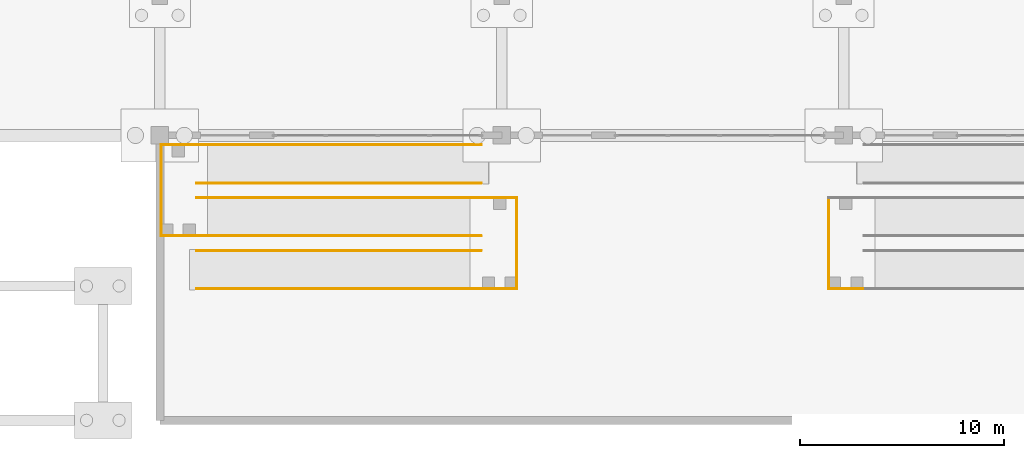
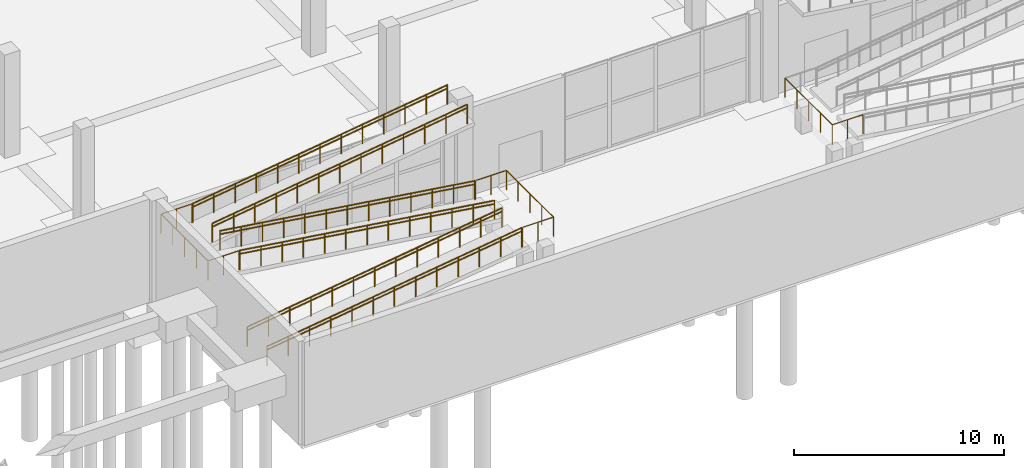
# One storey, part 36 of 46: 20 railings.
"""IFC4 building model written with IfcOpenShell, lengths in metres."""

from ifc_helpers import new_model, si_unit, direction, frame, origin, origin_2d, place, context, subcontext, project, spatial, circle, extrude, material, type_object, element, save


model = new_model("IFC4")

# Units and contexts
model_context = context("Model", 3, precision=1e-05, world=origin(), true_north=direction((0.0, 1.0)))
body_context = subcontext(model_context, "Body", "Model", "MODEL_VIEW")
ifc_project = project(units=[si_unit("LENGTHUNIT", "METRE"), si_unit("AREAUNIT", "SQUARE_METRE"), si_unit("VOLUMEUNIT", "CUBIC_METRE"), si_unit("PLANEANGLEUNIT", "RADIAN"), si_unit("MASSUNIT", "GRAM", prefix="KILO")], contexts=[model_context])

# Site, building, storey
site_placement = place(None, origin())
site = spatial("IfcSite", under=ifc_project, at=site_placement, CompositionType="ELEMENT")
building_placement = place(site_placement, origin())
building = spatial("IfcBuilding", under=site, at=building_placement, Name="Kimbaza Rail Terminus", CompositionType="ELEMENT")
storey_placement = place(building_placement, frame((0.0, 0.0, -6.0)))
storey = spatial("IfcBuildingStorey", under=building, at=storey_placement, Name="B1", CompositionType="ELEMENT", Elevation=-6.0)

# Railings
ifc_material_1 = material(Name="Stainless steel exterior ramp handrail", Category="steel")
railing_type_1 = type_object("IfcRailingType", Name="ARC-RL-HNDE9", PredefinedType="HANDRAIL", material=ifc_material_1)
railing_1_placement = place(storey_placement, frame((90.60009765625, 24.659912109375, 4.0)))
element("IfcRailing", 1, at=railing_1_placement, inside=storey, type_object=railing_type_1, Name="Metro Plaza West Upper Ramp Handrail 1", PredefinedType="HANDRAIL", context=body_context, shape_type="SweptSolid", body=[
    extrude(circle(Radius=0.02392578125, at=origin_2d()), frame((0.0, 0.0, 0.916015625), z_axis=(0.989949493661, 0.0, 0.141421356237), x_axis=(0.0, 1.0, 0.0)), (0.0, 0.0, 1.0), 14.14208984375),
    extrude(circle(Radius=0.02099609375, at=origin_2d()), origin(), (0.0, 0.0, 1.0), 0.891845703125),
    extrude(circle(Radius=0.02099609375, at=origin_2d()), frame((1.166748046875, 0.0, 0.166748046875)), (0.0, 0.0, 1.0), 0.891845703125),
    extrude(circle(Radius=0.02099609375, at=origin_2d()), frame((2.333251953125, 0.0, 0.333251953125)), (0.0, 0.0, 1.0), 0.891845703125),
    extrude(circle(Radius=0.02099609375, at=origin_2d()), frame((3.5, 0.0, 0.5)), (0.0, 0.0, 1.0), 0.891845703125),
    extrude(circle(Radius=0.02099609375, at=origin_2d()), frame((4.666748046875, 0.0, 0.666748046875)), (0.0, 0.0, 1.0), 0.891845703125),
    extrude(circle(Radius=0.02099609375, at=origin_2d()), frame((5.833251953125, 0.0, 0.833251953125)), (0.0, 0.0, 1.0), 0.891845703125),
    extrude(circle(Radius=0.02099609375, at=origin_2d()), frame((7.0, 0.0, 1.0)), (0.0, 0.0, 1.0), 0.891845703125),
    extrude(circle(Radius=0.02099609375, at=origin_2d()), frame((8.166748046875, 0.0, 1.166748046875)), (0.0, 0.0, 1.0), 0.891845703125),
    extrude(circle(Radius=0.02099609375, at=origin_2d()), frame((9.333251953125, 0.0, 1.333251953125)), (0.0, 0.0, 1.0), 0.891845703125),
    extrude(circle(Radius=0.02099609375, at=origin_2d()), frame((10.5, 0.0, 1.5)), (0.0, 0.0, 1.0), 0.891845703125),
    extrude(circle(Radius=0.02099609375, at=origin_2d()), frame((11.666748046875, 0.0, 1.666748046875)), (0.0, 0.0, 1.0), 0.891845703125),
    extrude(circle(Radius=0.02099609375, at=origin_2d()), frame((12.833251953125, 0.0, 1.833251953125)), (0.0, 0.0, 1.0), 0.891845703125),
    extrude(circle(Radius=0.02099609375, at=origin_2d()), frame((14.0, 0.0, 2.0)), (0.0, 0.0, 1.0), 0.891845703125),
])
railing_2_placement = place(storey_placement, frame((90.60009765625, 26.5400390625, 4.0)))
element("IfcRailing", 2, at=railing_2_placement, inside=storey, type_object=railing_type_1, Name="Metro Plaza West Upper Ramp Handrail 2", PredefinedType="HANDRAIL", context=body_context, shape_type="SweptSolid", body=[
    extrude(circle(Radius=0.02392578125, at=origin_2d()), frame((0.0, 0.0, 0.916015625), z_axis=(0.989949493661, 0.0, 0.141421356237), x_axis=(0.0, 1.0, 0.0)), (0.0, 0.0, 1.0), 14.14208984375),
    extrude(circle(Radius=0.02099609375, at=origin_2d()), origin(), (0.0, 0.0, 1.0), 0.891845703125),
    extrude(circle(Radius=0.02099609375, at=origin_2d()), frame((1.166748046875, 0.0, 0.166748046875)), (0.0, 0.0, 1.0), 0.891845703125),
    extrude(circle(Radius=0.02099609375, at=origin_2d()), frame((2.333251953125, 0.0, 0.333251953125)), (0.0, 0.0, 1.0), 0.891845703125),
    extrude(circle(Radius=0.02099609375, at=origin_2d()), frame((3.5, 0.0, 0.5)), (0.0, 0.0, 1.0), 0.891845703125),
    extrude(circle(Radius=0.02099609375, at=origin_2d()), frame((4.666748046875, 0.0, 0.666748046875)), (0.0, 0.0, 1.0), 0.891845703125),
    extrude(circle(Radius=0.02099609375, at=origin_2d()), frame((5.833251953125, 0.0, 0.833251953125)), (0.0, 0.0, 1.0), 0.891845703125),
    extrude(circle(Radius=0.02099609375, at=origin_2d()), frame((7.0, 0.0, 1.0)), (0.0, 0.0, 1.0), 0.891845703125),
    extrude(circle(Radius=0.02099609375, at=origin_2d()), frame((8.166748046875, 0.0, 1.166748046875)), (0.0, 0.0, 1.0), 0.891845703125),
    extrude(circle(Radius=0.02099609375, at=origin_2d()), frame((9.333251953125, 0.0, 1.333251953125)), (0.0, 0.0, 1.0), 0.891845703125),
    extrude(circle(Radius=0.02099609375, at=origin_2d()), frame((10.5, 0.0, 1.5)), (0.0, 0.0, 1.0), 0.891845703125),
    extrude(circle(Radius=0.02099609375, at=origin_2d()), frame((11.666748046875, 0.0, 1.666748046875)), (0.0, 0.0, 1.0), 0.891845703125),
    extrude(circle(Radius=0.02099609375, at=origin_2d()), frame((12.833251953125, 0.0, 1.833251953125)), (0.0, 0.0, 1.0), 0.891845703125),
    extrude(circle(Radius=0.02099609375, at=origin_2d()), frame((14.0, 0.0, 2.0)), (0.0, 0.0, 1.0), 0.891845703125),
])
railing_3_placement = place(storey_placement, frame((90.60009765625, 22.06005859375, 4.0)))
element("IfcRailing", 3, at=railing_3_placement, inside=storey, type_object=railing_type_1, Name="Metro Plaza West Mid Ramp Handrail 1", PredefinedType="HANDRAIL", context=body_context, shape_type="SweptSolid", body=[
    extrude(circle(Radius=0.02392578125, at=origin_2d()), frame((0.0, 0.0, 0.916015625), z_axis=(0.989949493661, 0.0, -0.141421356237), x_axis=(0.0, 1.0, 0.0)), (0.0, 0.0, 1.0), 14.14208984375),
    extrude(circle(Radius=0.02099609375, at=origin_2d()), origin(), (0.0, 0.0, 1.0), 0.891845703125),
    extrude(circle(Radius=0.02099609375, at=origin_2d()), frame((1.166748046875, 0.0, -0.166748046875)), (0.0, 0.0, 1.0), 0.891845703125),
    extrude(circle(Radius=0.02099609375, at=origin_2d()), frame((2.333251953125, 0.0, -0.333251953125)), (0.0, 0.0, 1.0), 0.891845703125),
    extrude(circle(Radius=0.02099609375, at=origin_2d()), frame((3.5, 0.0, -0.5)), (0.0, 0.0, 1.0), 0.891845703125),
    extrude(circle(Radius=0.02099609375, at=origin_2d()), frame((4.666748046875, 0.0, -0.666748046875)), (0.0, 0.0, 1.0), 0.891845703125),
    extrude(circle(Radius=0.02099609375, at=origin_2d()), frame((5.833251953125, 0.0, -0.833251953125)), (0.0, 0.0, 1.0), 0.891845703125),
    extrude(circle(Radius=0.02099609375, at=origin_2d()), frame((7.0, 0.0, -1.0)), (0.0, 0.0, 1.0), 0.891845703125),
    extrude(circle(Radius=0.02099609375, at=origin_2d()), frame((8.166748046875, 0.0, -1.166748046875)), (0.0, 0.0, 1.0), 0.891845703125),
    extrude(circle(Radius=0.02099609375, at=origin_2d()), frame((9.333251953125, 0.0, -1.333251953125)), (0.0, 0.0, 1.0), 0.891845703125),
    extrude(circle(Radius=0.02099609375, at=origin_2d()), frame((10.5, 0.0, -1.5)), (0.0, 0.0, 1.0), 0.891845703125),
    extrude(circle(Radius=0.02099609375, at=origin_2d()), frame((11.666748046875, 0.0, -1.666748046875)), (0.0, 0.0, 1.0), 0.891845703125),
    extrude(circle(Radius=0.02099609375, at=origin_2d()), frame((12.833251953125, 0.0, -1.833251953125)), (0.0, 0.0, 1.0), 0.891845703125),
    extrude(circle(Radius=0.02099609375, at=origin_2d()), frame((14.0, 0.0, -2.0)), (0.0, 0.0, 1.0), 0.891845703125),
])
railing_4_placement = place(storey_placement, frame((90.60009765625, 23.93994140625, 4.0)))
element("IfcRailing", 4, at=railing_4_placement, inside=storey, type_object=railing_type_1, Name="Metro Plaza West Mid Ramp Handrail 2", PredefinedType="HANDRAIL", context=body_context, shape_type="SweptSolid", body=[
    extrude(circle(Radius=0.02392578125, at=origin_2d()), frame((0.0, 0.0, 0.916015625), z_axis=(0.989949493661, 0.0, -0.141421356237), x_axis=(0.0, 1.0, 0.0)), (0.0, 0.0, 1.0), 14.14208984375),
    extrude(circle(Radius=0.02099609375, at=origin_2d()), origin(), (0.0, 0.0, 1.0), 0.891845703125),
    extrude(circle(Radius=0.02099609375, at=origin_2d()), frame((1.166748046875, 0.0, -0.166748046875)), (0.0, 0.0, 1.0), 0.891845703125),
    extrude(circle(Radius=0.02099609375, at=origin_2d()), frame((2.333251953125, 0.0, -0.333251953125)), (0.0, 0.0, 1.0), 0.891845703125),
    extrude(circle(Radius=0.02099609375, at=origin_2d()), frame((3.5, 0.0, -0.5)), (0.0, 0.0, 1.0), 0.891845703125),
    extrude(circle(Radius=0.02099609375, at=origin_2d()), frame((4.666748046875, 0.0, -0.666748046875)), (0.0, 0.0, 1.0), 0.891845703125),
    extrude(circle(Radius=0.02099609375, at=origin_2d()), frame((5.833251953125, 0.0, -0.833251953125)), (0.0, 0.0, 1.0), 0.891845703125),
    extrude(circle(Radius=0.02099609375, at=origin_2d()), frame((7.0, 0.0, -1.0)), (0.0, 0.0, 1.0), 0.891845703125),
    extrude(circle(Radius=0.02099609375, at=origin_2d()), frame((8.166748046875, 0.0, -1.166748046875)), (0.0, 0.0, 1.0), 0.891845703125),
    extrude(circle(Radius=0.02099609375, at=origin_2d()), frame((9.333251953125, 0.0, -1.333251953125)), (0.0, 0.0, 1.0), 0.891845703125),
    extrude(circle(Radius=0.02099609375, at=origin_2d()), frame((10.5, 0.0, -1.5)), (0.0, 0.0, 1.0), 0.891845703125),
    extrude(circle(Radius=0.02099609375, at=origin_2d()), frame((11.666748046875, 0.0, -1.666748046875)), (0.0, 0.0, 1.0), 0.891845703125),
    extrude(circle(Radius=0.02099609375, at=origin_2d()), frame((12.833251953125, 0.0, -1.833251953125)), (0.0, 0.0, 1.0), 0.891845703125),
    extrude(circle(Radius=0.02099609375, at=origin_2d()), frame((14.0, 0.0, -2.0)), (0.0, 0.0, 1.0), 0.891845703125),
])
railing_5_placement = place(storey_placement, frame((90.60009765625, 19.4599609375, 0.0)))
element("IfcRailing", 5, at=railing_5_placement, inside=storey, type_object=railing_type_1, Name="Metro Plaza West Lower Ramp Handrail 1", PredefinedType="HANDRAIL", context=body_context, shape_type="SweptSolid", body=[
    extrude(circle(Radius=0.02392578125, at=origin_2d()), frame((0.0, 0.0, 0.916015625), z_axis=(0.989949493661, 0.0, 0.141421356237), x_axis=(0.0, 1.0, 0.0)), (0.0, 0.0, 1.0), 14.14208984375),
    extrude(circle(Radius=0.02099609375, at=origin_2d()), origin(), (0.0, 0.0, 1.0), 0.891845703125),
    extrude(circle(Radius=0.02099609375, at=origin_2d()), frame((1.166748046875, 0.0, 0.166748046875)), (0.0, 0.0, 1.0), 0.891845703125),
    extrude(circle(Radius=0.02099609375, at=origin_2d()), frame((2.333251953125, 0.0, 0.333251953125)), (0.0, 0.0, 1.0), 0.891845703125),
    extrude(circle(Radius=0.02099609375, at=origin_2d()), frame((3.5, 0.0, 0.5)), (0.0, 0.0, 1.0), 0.891845703125),
    extrude(circle(Radius=0.02099609375, at=origin_2d()), frame((4.666748046875, 0.0, 0.666748046875)), (0.0, 0.0, 1.0), 0.891845703125),
    extrude(circle(Radius=0.02099609375, at=origin_2d()), frame((5.833251953125, 0.0, 0.833251953125)), (0.0, 0.0, 1.0), 0.891845703125),
    extrude(circle(Radius=0.02099609375, at=origin_2d()), frame((7.0, 0.0, 1.0)), (0.0, 0.0, 1.0), 0.891845703125),
    extrude(circle(Radius=0.02099609375, at=origin_2d()), frame((8.166748046875, 0.0, 1.166748046875)), (0.0, 0.0, 1.0), 0.891845703125),
    extrude(circle(Radius=0.02099609375, at=origin_2d()), frame((9.333251953125, 0.0, 1.333251953125)), (0.0, 0.0, 1.0), 0.891845703125),
    extrude(circle(Radius=0.02099609375, at=origin_2d()), frame((10.5, 0.0, 1.5)), (0.0, 0.0, 1.0), 0.891845703125),
    extrude(circle(Radius=0.02099609375, at=origin_2d()), frame((11.666748046875, 0.0, 1.666748046875)), (0.0, 0.0, 1.0), 0.891845703125),
    extrude(circle(Radius=0.02099609375, at=origin_2d()), frame((12.833251953125, 0.0, 1.833251953125)), (0.0, 0.0, 1.0), 0.891845703125),
    extrude(circle(Radius=0.02099609375, at=origin_2d()), frame((14.0, 0.0, 2.0)), (0.0, 0.0, 1.0), 0.891845703125),
])
railing_6_placement = place(storey_placement, frame((90.60009765625, 21.340087890625, 0.0)))
element("IfcRailing", 6, at=railing_6_placement, inside=storey, type_object=railing_type_1, Name="Metro Plaza West Lower Ramp Handrail 2", PredefinedType="HANDRAIL", context=body_context, shape_type="SweptSolid", body=[
    extrude(circle(Radius=0.02392578125, at=origin_2d()), frame((0.0, 0.0, 0.916015625), z_axis=(0.989949493661, 0.0, 0.141421356237), x_axis=(0.0, 1.0, 0.0)), (0.0, 0.0, 1.0), 14.14208984375),
    extrude(circle(Radius=0.02099609375, at=origin_2d()), origin(), (0.0, 0.0, 1.0), 0.891845703125),
    extrude(circle(Radius=0.02099609375, at=origin_2d()), frame((1.166748046875, 0.0, 0.166748046875)), (0.0, 0.0, 1.0), 0.891845703125),
    extrude(circle(Radius=0.02099609375, at=origin_2d()), frame((2.333251953125, 0.0, 0.333251953125)), (0.0, 0.0, 1.0), 0.891845703125),
    extrude(circle(Radius=0.02099609375, at=origin_2d()), frame((3.5, 0.0, 0.5)), (0.0, 0.0, 1.0), 0.891845703125),
    extrude(circle(Radius=0.02099609375, at=origin_2d()), frame((4.666748046875, 0.0, 0.666748046875)), (0.0, 0.0, 1.0), 0.891845703125),
    extrude(circle(Radius=0.02099609375, at=origin_2d()), frame((5.833251953125, 0.0, 0.833251953125)), (0.0, 0.0, 1.0), 0.891845703125),
    extrude(circle(Radius=0.02099609375, at=origin_2d()), frame((7.0, 0.0, 1.0)), (0.0, 0.0, 1.0), 0.891845703125),
    extrude(circle(Radius=0.02099609375, at=origin_2d()), frame((8.166748046875, 0.0, 1.166748046875)), (0.0, 0.0, 1.0), 0.891845703125),
    extrude(circle(Radius=0.02099609375, at=origin_2d()), frame((9.333251953125, 0.0, 1.333251953125)), (0.0, 0.0, 1.0), 0.891845703125),
    extrude(circle(Radius=0.02099609375, at=origin_2d()), frame((10.5, 0.0, 1.5)), (0.0, 0.0, 1.0), 0.891845703125),
    extrude(circle(Radius=0.02099609375, at=origin_2d()), frame((11.666748046875, 0.0, 1.666748046875)), (0.0, 0.0, 1.0), 0.891845703125),
    extrude(circle(Radius=0.02099609375, at=origin_2d()), frame((12.833251953125, 0.0, 1.833251953125)), (0.0, 0.0, 1.0), 0.891845703125),
    extrude(circle(Radius=0.02099609375, at=origin_2d()), frame((14.0, 0.0, 2.0)), (0.0, 0.0, 1.0), 0.891845703125),
])
ifc_material_2 = material(Name="Galvanised steel exterior ramp guard", Category="steel")
railing_type_2 = type_object("IfcRailingType", Name="ARC-RL-RMGRD", PredefinedType="GUARDRAIL", material=ifc_material_2)
railing_7_placement = place(storey_placement, frame((88.860107421875, 22.06005859375, 4.0)))
element("IfcRailing", 7, at=railing_7_placement, inside=storey, type_object=railing_type_2, Name="Ramp Landing Guard 1.1", PredefinedType="GUARDRAIL", context=body_context, shape_type="SweptSolid", body=[
    extrude(circle(Radius=0.02392578125, at=origin_2d()), frame((0.0, 0.0, 1.11572265625), z_axis=(1.0, 0.0, 0.0), x_axis=(0.0, 1.0, 0.0)), (0.0, 0.0, 1.0), 1.68994140625),
    extrude(circle(Radius=0.02099609375, at=origin_2d()), origin(), (0.0, 0.0, 1.0), 1.091796875),
    extrude(circle(Radius=0.02099609375, at=origin_2d()), frame((0.844970703125, 0.0, 0.0)), (0.0, 0.0, 1.0), 1.091796875),
    extrude(circle(Radius=0.02099609375, at=origin_2d()), frame((1.68994140625, 0.0, 0.0)), (0.0, 0.0, 1.0), 1.091796875),
])
railing_8_placement = place(storey_placement, frame((88.860107421875, 22.06005859375, 4.0)))
element("IfcRailing", 8, at=railing_8_placement, inside=storey, type_object=railing_type_2, Name="Ramp Landing Guard 1.2", PredefinedType="GUARDRAIL", context=body_context, shape_type="SweptSolid", body=[
    extrude(circle(Radius=0.02392578125, at=origin_2d()), frame((0.0, 0.0, 1.11572265625), z_axis=(0.0, 1.0, 0.0), x_axis=(-1.0, 0.0, 0.0)), (0.0, 0.0, 1.0), 4.47998046875),
    extrude(circle(Radius=0.02099609375, at=origin_2d()), origin(), (0.0, 0.0, 1.0), 1.091796875),
    extrude(circle(Radius=0.02099609375, at=origin_2d()), frame((0.0, 1.1201171875, 0.0)), (0.0, 0.0, 1.0), 1.091796875),
    extrude(circle(Radius=0.02099609375, at=origin_2d()), frame((0.0, 2.239990234375, 0.0)), (0.0, 0.0, 1.0), 1.091796875),
    extrude(circle(Radius=0.02099609375, at=origin_2d()), frame((0.0, 3.35986328125, 0.0)), (0.0, 0.0, 1.0), 1.091796875),
    extrude(circle(Radius=0.02099609375, at=origin_2d()), frame((0.0, 4.47998046875, 0.0)), (0.0, 0.0, 1.0), 1.091796875),
])
railing_9_placement = place(storey_placement, frame((88.860107421875, 26.5400390625, 4.0)))
element("IfcRailing", 9, at=railing_9_placement, inside=storey, type_object=railing_type_2, Name="Ramp Landing Guard 1.3", PredefinedType="GUARDRAIL", context=body_context, shape_type="SweptSolid", body=[
    extrude(circle(Radius=0.02392578125, at=origin_2d()), frame((0.0, 0.0, 1.11572265625), z_axis=(1.0, 0.0, 0.0), x_axis=(0.0, 1.0, 0.0)), (0.0, 0.0, 1.0), 1.68994140625),
    extrude(circle(Radius=0.02099609375, at=origin_2d()), origin(), (0.0, 0.0, 1.0), 1.091796875),
    extrude(circle(Radius=0.02099609375, at=origin_2d()), frame((0.844970703125, 0.0, 0.0)), (0.0, 0.0, 1.0), 1.091796875),
    extrude(circle(Radius=0.02099609375, at=origin_2d()), frame((1.68994140625, 0.0, 0.0)), (0.0, 0.0, 1.0), 1.091796875),
])
railing_10_placement = place(storey_placement, frame((90.60009765625, 24.659912109375, 4.0)))
element("IfcRailing", 10, at=railing_10_placement, inside=storey, type_object=railing_type_2, Name="Metro Plaza West Upper Ramp Guard 1", PredefinedType="GUARDRAIL", context=body_context, shape_type="SweptSolid", body=[
    extrude(circle(Radius=0.02392578125, at=origin_2d()), frame((0.0, 0.0, 1.11572265625), z_axis=(0.989949493661, 0.0, 0.141421356237), x_axis=(0.0, 1.0, 0.0)), (0.0, 0.0, 1.0), 14.14208984375),
    extrude(circle(Radius=0.02099609375, at=origin_2d()), origin(), (0.0, 0.0, 1.0), 1.091796875),
    extrude(circle(Radius=0.02099609375, at=origin_2d()), frame((1.166748046875, 0.0, 0.166748046875)), (0.0, 0.0, 1.0), 1.091796875),
    extrude(circle(Radius=0.02099609375, at=origin_2d()), frame((2.333251953125, 0.0, 0.333251953125)), (0.0, 0.0, 1.0), 1.091796875),
    extrude(circle(Radius=0.02099609375, at=origin_2d()), frame((3.5, 0.0, 0.5)), (0.0, 0.0, 1.0), 1.091796875),
    extrude(circle(Radius=0.02099609375, at=origin_2d()), frame((4.666748046875, 0.0, 0.666748046875)), (0.0, 0.0, 1.0), 1.091796875),
    extrude(circle(Radius=0.02099609375, at=origin_2d()), frame((5.833251953125, 0.0, 0.833251953125)), (0.0, 0.0, 1.0), 1.091796875),
    extrude(circle(Radius=0.02099609375, at=origin_2d()), frame((7.0, 0.0, 1.0)), (0.0, 0.0, 1.0), 1.091796875),
    extrude(circle(Radius=0.02099609375, at=origin_2d()), frame((8.166748046875, 0.0, 1.166748046875)), (0.0, 0.0, 1.0), 1.091796875),
    extrude(circle(Radius=0.02099609375, at=origin_2d()), frame((9.333251953125, 0.0, 1.333251953125)), (0.0, 0.0, 1.0), 1.091796875),
    extrude(circle(Radius=0.02099609375, at=origin_2d()), frame((10.5, 0.0, 1.5)), (0.0, 0.0, 1.0), 1.091796875),
    extrude(circle(Radius=0.02099609375, at=origin_2d()), frame((11.666748046875, 0.0, 1.666748046875)), (0.0, 0.0, 1.0), 1.091796875),
    extrude(circle(Radius=0.02099609375, at=origin_2d()), frame((12.833251953125, 0.0, 1.833251953125)), (0.0, 0.0, 1.0), 1.091796875),
    extrude(circle(Radius=0.02099609375, at=origin_2d()), frame((14.0, 0.0, 2.0)), (0.0, 0.0, 1.0), 1.091796875),
])
railing_11_placement = place(storey_placement, frame((90.60009765625, 26.5400390625, 4.0)))
element("IfcRailing", 11, at=railing_11_placement, inside=storey, type_object=railing_type_2, Name="Metro Plaza West Upper Ramp Guard 2", PredefinedType="GUARDRAIL", context=body_context, shape_type="SweptSolid", body=[
    extrude(circle(Radius=0.02392578125, at=origin_2d()), frame((0.0, 0.0, 1.11572265625), z_axis=(0.989949493661, 0.0, 0.141421356237), x_axis=(0.0, 1.0, 0.0)), (0.0, 0.0, 1.0), 14.14208984375),
    extrude(circle(Radius=0.02099609375, at=origin_2d()), origin(), (0.0, 0.0, 1.0), 1.091796875),
    extrude(circle(Radius=0.02099609375, at=origin_2d()), frame((1.166748046875, 0.0, 0.166748046875)), (0.0, 0.0, 1.0), 1.091796875),
    extrude(circle(Radius=0.02099609375, at=origin_2d()), frame((2.333251953125, 0.0, 0.333251953125)), (0.0, 0.0, 1.0), 1.091796875),
    extrude(circle(Radius=0.02099609375, at=origin_2d()), frame((3.5, 0.0, 0.5)), (0.0, 0.0, 1.0), 1.091796875),
    extrude(circle(Radius=0.02099609375, at=origin_2d()), frame((4.666748046875, 0.0, 0.666748046875)), (0.0, 0.0, 1.0), 1.091796875),
    extrude(circle(Radius=0.02099609375, at=origin_2d()), frame((5.833251953125, 0.0, 0.833251953125)), (0.0, 0.0, 1.0), 1.091796875),
    extrude(circle(Radius=0.02099609375, at=origin_2d()), frame((7.0, 0.0, 1.0)), (0.0, 0.0, 1.0), 1.091796875),
    extrude(circle(Radius=0.02099609375, at=origin_2d()), frame((8.166748046875, 0.0, 1.166748046875)), (0.0, 0.0, 1.0), 1.091796875),
    extrude(circle(Radius=0.02099609375, at=origin_2d()), frame((9.333251953125, 0.0, 1.333251953125)), (0.0, 0.0, 1.0), 1.091796875),
    extrude(circle(Radius=0.02099609375, at=origin_2d()), frame((10.5, 0.0, 1.5)), (0.0, 0.0, 1.0), 1.091796875),
    extrude(circle(Radius=0.02099609375, at=origin_2d()), frame((11.666748046875, 0.0, 1.666748046875)), (0.0, 0.0, 1.0), 1.091796875),
    extrude(circle(Radius=0.02099609375, at=origin_2d()), frame((12.833251953125, 0.0, 1.833251953125)), (0.0, 0.0, 1.0), 1.091796875),
    extrude(circle(Radius=0.02099609375, at=origin_2d()), frame((14.0, 0.0, 2.0)), (0.0, 0.0, 1.0), 1.091796875),
])
railing_12_placement = place(storey_placement, frame((104.64990234375, 19.4599609375, 2.0)))
element("IfcRailing", 12, at=railing_12_placement, inside=storey, type_object=railing_type_2, Name="Ramp Landing Guard 2.1", PredefinedType="GUARDRAIL", context=body_context, shape_type="SweptSolid", body=[
    extrude(circle(Radius=0.02392578125, at=origin_2d()), frame((0.0, 0.0, 1.11572265625), z_axis=(1.0, 0.0, 0.0), x_axis=(0.0, 1.0, 0.0)), (0.0, 0.0, 1.0), 1.690185546875),
    extrude(circle(Radius=0.02099609375, at=origin_2d()), origin(), (0.0, 0.0, 1.0), 1.091796875),
    extrude(circle(Radius=0.02099609375, at=origin_2d()), frame((0.84521484375, 0.0, 0.0)), (0.0, 0.0, 1.0), 1.091796875),
    extrude(circle(Radius=0.02099609375, at=origin_2d()), frame((1.690185546875, 0.0, 0.0)), (0.0, 0.0, 1.0), 1.091796875),
])
railing_13_placement = place(storey_placement, frame((106.340087890625, 19.4599609375, 2.0)))
element("IfcRailing", 13, at=railing_13_placement, inside=storey, type_object=railing_type_2, Name="Ramp Landing Guard 2.2", PredefinedType="GUARDRAIL", context=body_context, shape_type="SweptSolid", body=[
    extrude(circle(Radius=0.02392578125, at=origin_2d()), frame((0.0, 0.0, 1.11572265625), z_axis=(0.0, 1.0, 0.0), x_axis=(-1.0, 0.0, 0.0)), (0.0, 0.0, 1.0), 4.47998046875),
    extrude(circle(Radius=0.02099609375, at=origin_2d()), origin(), (0.0, 0.0, 1.0), 1.091796875),
    extrude(circle(Radius=0.02099609375, at=origin_2d()), frame((0.0, 1.1201171875, 0.0)), (0.0, 0.0, 1.0), 1.091796875),
    extrude(circle(Radius=0.02099609375, at=origin_2d()), frame((0.0, 2.239990234375, 0.0)), (0.0, 0.0, 1.0), 1.091796875),
    extrude(circle(Radius=0.02099609375, at=origin_2d()), frame((0.0, 3.35986328125, 0.0)), (0.0, 0.0, 1.0), 1.091796875),
    extrude(circle(Radius=0.02099609375, at=origin_2d()), frame((0.0, 4.47998046875, 0.0)), (0.0, 0.0, 1.0), 1.091796875),
])
railing_14_placement = place(storey_placement, frame((106.340087890625, 23.93994140625, 2.0)))
element("IfcRailing", 14, at=railing_14_placement, inside=storey, type_object=railing_type_2, Name="Ramp Landing Guard 2.3", PredefinedType="GUARDRAIL", context=body_context, shape_type="SweptSolid", body=[
    extrude(circle(Radius=0.02392578125, at=origin_2d()), frame((0.0, 0.0, 1.11572265625), z_axis=(-1.0, 0.0, 0.0), x_axis=(0.0, -1.0, 0.0)), (0.0, 0.0, 1.0), 1.690185546875),
    extrude(circle(Radius=0.02099609375, at=origin_2d()), origin(), (0.0, 0.0, 1.0), 1.091796875),
    extrude(circle(Radius=0.02099609375, at=origin_2d()), frame((-0.84521484375, 0.0, 0.0)), (0.0, 0.0, 1.0), 1.091796875),
    extrude(circle(Radius=0.02099609375, at=origin_2d()), frame((-1.690185546875, 0.0, 0.0)), (0.0, 0.0, 1.0), 1.091796875),
])
railing_15_placement = place(storey_placement, frame((90.60009765625, 22.06005859375, 4.0)))
element("IfcRailing", 15, at=railing_15_placement, inside=storey, type_object=railing_type_2, Name="Metro Plaza West Mid Ramp Guard 1", PredefinedType="GUARDRAIL", context=body_context, shape_type="SweptSolid", body=[
    extrude(circle(Radius=0.02392578125, at=origin_2d()), frame((0.0, 0.0, 1.11572265625), z_axis=(0.989949493661, 0.0, -0.141421356237), x_axis=(0.0, 1.0, 0.0)), (0.0, 0.0, 1.0), 14.14208984375),
    extrude(circle(Radius=0.02099609375, at=origin_2d()), origin(), (0.0, 0.0, 1.0), 1.091796875),
    extrude(circle(Radius=0.02099609375, at=origin_2d()), frame((1.166748046875, 0.0, -0.166748046875)), (0.0, 0.0, 1.0), 1.091796875),
    extrude(circle(Radius=0.02099609375, at=origin_2d()), frame((2.333251953125, 0.0, -0.333251953125)), (0.0, 0.0, 1.0), 1.091796875),
    extrude(circle(Radius=0.02099609375, at=origin_2d()), frame((3.5, 0.0, -0.5)), (0.0, 0.0, 1.0), 1.091796875),
    extrude(circle(Radius=0.02099609375, at=origin_2d()), frame((4.666748046875, 0.0, -0.666748046875)), (0.0, 0.0, 1.0), 1.091796875),
    extrude(circle(Radius=0.02099609375, at=origin_2d()), frame((5.833251953125, 0.0, -0.833251953125)), (0.0, 0.0, 1.0), 1.091796875),
    extrude(circle(Radius=0.02099609375, at=origin_2d()), frame((7.0, 0.0, -1.0)), (0.0, 0.0, 1.0), 1.091796875),
    extrude(circle(Radius=0.02099609375, at=origin_2d()), frame((8.166748046875, 0.0, -1.166748046875)), (0.0, 0.0, 1.0), 1.091796875),
    extrude(circle(Radius=0.02099609375, at=origin_2d()), frame((9.333251953125, 0.0, -1.333251953125)), (0.0, 0.0, 1.0), 1.091796875),
    extrude(circle(Radius=0.02099609375, at=origin_2d()), frame((10.5, 0.0, -1.5)), (0.0, 0.0, 1.0), 1.091796875),
    extrude(circle(Radius=0.02099609375, at=origin_2d()), frame((11.666748046875, 0.0, -1.666748046875)), (0.0, 0.0, 1.0), 1.091796875),
    extrude(circle(Radius=0.02099609375, at=origin_2d()), frame((12.833251953125, 0.0, -1.833251953125)), (0.0, 0.0, 1.0), 1.091796875),
    extrude(circle(Radius=0.02099609375, at=origin_2d()), frame((14.0, 0.0, -2.0)), (0.0, 0.0, 1.0), 1.091796875),
])
railing_16_placement = place(storey_placement, frame((90.60009765625, 23.93994140625, 4.0)))
element("IfcRailing", 16, at=railing_16_placement, inside=storey, type_object=railing_type_2, Name="Metro Plaza West Mid Ramp Guard 2", PredefinedType="GUARDRAIL", context=body_context, shape_type="SweptSolid", body=[
    extrude(circle(Radius=0.02392578125, at=origin_2d()), frame((0.0, 0.0, 1.11572265625), z_axis=(0.989949493661, 0.0, -0.141421356237), x_axis=(0.0, 1.0, 0.0)), (0.0, 0.0, 1.0), 14.14208984375),
    extrude(circle(Radius=0.02099609375, at=origin_2d()), origin(), (0.0, 0.0, 1.0), 1.091796875),
    extrude(circle(Radius=0.02099609375, at=origin_2d()), frame((1.166748046875, 0.0, -0.166748046875)), (0.0, 0.0, 1.0), 1.091796875),
    extrude(circle(Radius=0.02099609375, at=origin_2d()), frame((2.333251953125, 0.0, -0.333251953125)), (0.0, 0.0, 1.0), 1.091796875),
    extrude(circle(Radius=0.02099609375, at=origin_2d()), frame((3.5, 0.0, -0.5)), (0.0, 0.0, 1.0), 1.091796875),
    extrude(circle(Radius=0.02099609375, at=origin_2d()), frame((4.666748046875, 0.0, -0.666748046875)), (0.0, 0.0, 1.0), 1.091796875),
    extrude(circle(Radius=0.02099609375, at=origin_2d()), frame((5.833251953125, 0.0, -0.833251953125)), (0.0, 0.0, 1.0), 1.091796875),
    extrude(circle(Radius=0.02099609375, at=origin_2d()), frame((7.0, 0.0, -1.0)), (0.0, 0.0, 1.0), 1.091796875),
    extrude(circle(Radius=0.02099609375, at=origin_2d()), frame((8.166748046875, 0.0, -1.166748046875)), (0.0, 0.0, 1.0), 1.091796875),
    extrude(circle(Radius=0.02099609375, at=origin_2d()), frame((9.333251953125, 0.0, -1.333251953125)), (0.0, 0.0, 1.0), 1.091796875),
    extrude(circle(Radius=0.02099609375, at=origin_2d()), frame((10.5, 0.0, -1.5)), (0.0, 0.0, 1.0), 1.091796875),
    extrude(circle(Radius=0.02099609375, at=origin_2d()), frame((11.666748046875, 0.0, -1.666748046875)), (0.0, 0.0, 1.0), 1.091796875),
    extrude(circle(Radius=0.02099609375, at=origin_2d()), frame((12.833251953125, 0.0, -1.833251953125)), (0.0, 0.0, 1.0), 1.091796875),
    extrude(circle(Radius=0.02099609375, at=origin_2d()), frame((14.0, 0.0, -2.0)), (0.0, 0.0, 1.0), 1.091796875),
])
railing_17_placement = place(storey_placement, frame((90.60009765625, 19.4599609375, 0.0)))
element("IfcRailing", 17, at=railing_17_placement, inside=storey, type_object=railing_type_2, Name="Metro Plaza West Lower Ramp Guard 1", PredefinedType="GUARDRAIL", context=body_context, shape_type="SweptSolid", body=[
    extrude(circle(Radius=0.02392578125, at=origin_2d()), frame((0.0, 0.0, 1.11572265625), z_axis=(0.989949493661, 0.0, 0.141421356237), x_axis=(0.0, 1.0, 0.0)), (0.0, 0.0, 1.0), 14.14208984375),
    extrude(circle(Radius=0.02099609375, at=origin_2d()), origin(), (0.0, 0.0, 1.0), 1.091796875),
    extrude(circle(Radius=0.02099609375, at=origin_2d()), frame((1.166748046875, 0.0, 0.166748046875)), (0.0, 0.0, 1.0), 1.091796875),
    extrude(circle(Radius=0.02099609375, at=origin_2d()), frame((2.333251953125, 0.0, 0.333251953125)), (0.0, 0.0, 1.0), 1.091796875),
    extrude(circle(Radius=0.02099609375, at=origin_2d()), frame((3.5, 0.0, 0.5)), (0.0, 0.0, 1.0), 1.091796875),
    extrude(circle(Radius=0.02099609375, at=origin_2d()), frame((4.666748046875, 0.0, 0.666748046875)), (0.0, 0.0, 1.0), 1.091796875),
    extrude(circle(Radius=0.02099609375, at=origin_2d()), frame((5.833251953125, 0.0, 0.833251953125)), (0.0, 0.0, 1.0), 1.091796875),
    extrude(circle(Radius=0.02099609375, at=origin_2d()), frame((7.0, 0.0, 1.0)), (0.0, 0.0, 1.0), 1.091796875),
    extrude(circle(Radius=0.02099609375, at=origin_2d()), frame((8.166748046875, 0.0, 1.166748046875)), (0.0, 0.0, 1.0), 1.091796875),
    extrude(circle(Radius=0.02099609375, at=origin_2d()), frame((9.333251953125, 0.0, 1.333251953125)), (0.0, 0.0, 1.0), 1.091796875),
    extrude(circle(Radius=0.02099609375, at=origin_2d()), frame((10.5, 0.0, 1.5)), (0.0, 0.0, 1.0), 1.091796875),
    extrude(circle(Radius=0.02099609375, at=origin_2d()), frame((11.666748046875, 0.0, 1.666748046875)), (0.0, 0.0, 1.0), 1.091796875),
    extrude(circle(Radius=0.02099609375, at=origin_2d()), frame((12.833251953125, 0.0, 1.833251953125)), (0.0, 0.0, 1.0), 1.091796875),
    extrude(circle(Radius=0.02099609375, at=origin_2d()), frame((14.0, 0.0, 2.0)), (0.0, 0.0, 1.0), 1.091796875),
])
railing_18_placement = place(storey_placement, frame((90.60009765625, 21.340087890625, 0.0)))
element("IfcRailing", 18, at=railing_18_placement, inside=storey, type_object=railing_type_2, Name="Metro Plaza West Lower Ramp Guard 2", PredefinedType="GUARDRAIL", context=body_context, shape_type="SweptSolid", body=[
    extrude(circle(Radius=0.02392578125, at=origin_2d()), frame((0.0, 0.0, 1.11572265625), z_axis=(0.989949493661, 0.0, 0.141421356237), x_axis=(0.0, 1.0, 0.0)), (0.0, 0.0, 1.0), 14.14208984375),
    extrude(circle(Radius=0.02099609375, at=origin_2d()), origin(), (0.0, 0.0, 1.0), 1.091796875),
    extrude(circle(Radius=0.02099609375, at=origin_2d()), frame((1.166748046875, 0.0, 0.166748046875)), (0.0, 0.0, 1.0), 1.091796875),
    extrude(circle(Radius=0.02099609375, at=origin_2d()), frame((2.333251953125, 0.0, 0.333251953125)), (0.0, 0.0, 1.0), 1.091796875),
    extrude(circle(Radius=0.02099609375, at=origin_2d()), frame((3.5, 0.0, 0.5)), (0.0, 0.0, 1.0), 1.091796875),
    extrude(circle(Radius=0.02099609375, at=origin_2d()), frame((4.666748046875, 0.0, 0.666748046875)), (0.0, 0.0, 1.0), 1.091796875),
    extrude(circle(Radius=0.02099609375, at=origin_2d()), frame((5.833251953125, 0.0, 0.833251953125)), (0.0, 0.0, 1.0), 1.091796875),
    extrude(circle(Radius=0.02099609375, at=origin_2d()), frame((7.0, 0.0, 1.0)), (0.0, 0.0, 1.0), 1.091796875),
    extrude(circle(Radius=0.02099609375, at=origin_2d()), frame((8.166748046875, 0.0, 1.166748046875)), (0.0, 0.0, 1.0), 1.091796875),
    extrude(circle(Radius=0.02099609375, at=origin_2d()), frame((9.333251953125, 0.0, 1.333251953125)), (0.0, 0.0, 1.0), 1.091796875),
    extrude(circle(Radius=0.02099609375, at=origin_2d()), frame((10.5, 0.0, 1.5)), (0.0, 0.0, 1.0), 1.091796875),
    extrude(circle(Radius=0.02099609375, at=origin_2d()), frame((11.666748046875, 0.0, 1.666748046875)), (0.0, 0.0, 1.0), 1.091796875),
    extrude(circle(Radius=0.02099609375, at=origin_2d()), frame((12.833251953125, 0.0, 1.833251953125)), (0.0, 0.0, 1.0), 1.091796875),
    extrude(circle(Radius=0.02099609375, at=origin_2d()), frame((14.0, 0.0, 2.0)), (0.0, 0.0, 1.0), 1.091796875),
])
railing_19_placement = place(storey_placement, frame((121.659912109375, 19.4599609375, 2.0)))
element("IfcRailing", 19, at=railing_19_placement, inside=storey, type_object=railing_type_2, Name="Ramp Landing Guard 5.1", PredefinedType="GUARDRAIL", context=body_context, shape_type="SweptSolid", body=[
    extrude(circle(Radius=0.02392578125, at=origin_2d()), frame((0.0, 0.0, 1.11572265625), z_axis=(1.0, 0.0, 0.0), x_axis=(0.0, 1.0, 0.0)), (0.0, 0.0, 1.0), 1.690185546875),
    extrude(circle(Radius=0.02099609375, at=origin_2d()), origin(), (0.0, 0.0, 1.0), 1.091796875),
    extrude(circle(Radius=0.02099609375, at=origin_2d()), frame((0.84521484375, 0.0, 0.0)), (0.0, 0.0, 1.0), 1.091796875),
    extrude(circle(Radius=0.02099609375, at=origin_2d()), frame((1.690185546875, 0.0, 0.0)), (0.0, 0.0, 1.0), 1.091796875),
])
railing_20_placement = place(storey_placement, frame((121.659912109375, 19.4599609375, 2.0)))
element("IfcRailing", 20, at=railing_20_placement, inside=storey, type_object=railing_type_2, Name="Ramp Landing Guard 5.2", PredefinedType="GUARDRAIL", context=body_context, shape_type="SweptSolid", body=[
    extrude(circle(Radius=0.02392578125, at=origin_2d()), frame((0.0, 0.0, 1.11572265625), z_axis=(0.0, 1.0, 0.0), x_axis=(-1.0, 0.0, 0.0)), (0.0, 0.0, 1.0), 4.47998046875),
    extrude(circle(Radius=0.02099609375, at=origin_2d()), origin(), (0.0, 0.0, 1.0), 1.091796875),
    extrude(circle(Radius=0.02099609375, at=origin_2d()), frame((0.0, 1.1201171875, 0.0)), (0.0, 0.0, 1.0), 1.091796875),
    extrude(circle(Radius=0.02099609375, at=origin_2d()), frame((0.0, 2.239990234375, 0.0)), (0.0, 0.0, 1.0), 1.091796875),
    extrude(circle(Radius=0.02099609375, at=origin_2d()), frame((0.0, 3.35986328125, 0.0)), (0.0, 0.0, 1.0), 1.091796875),
    extrude(circle(Radius=0.02099609375, at=origin_2d()), frame((0.0, 4.47998046875, 0.0)), (0.0, 0.0, 1.0), 1.091796875),
])

save(model, "model.ifc")
